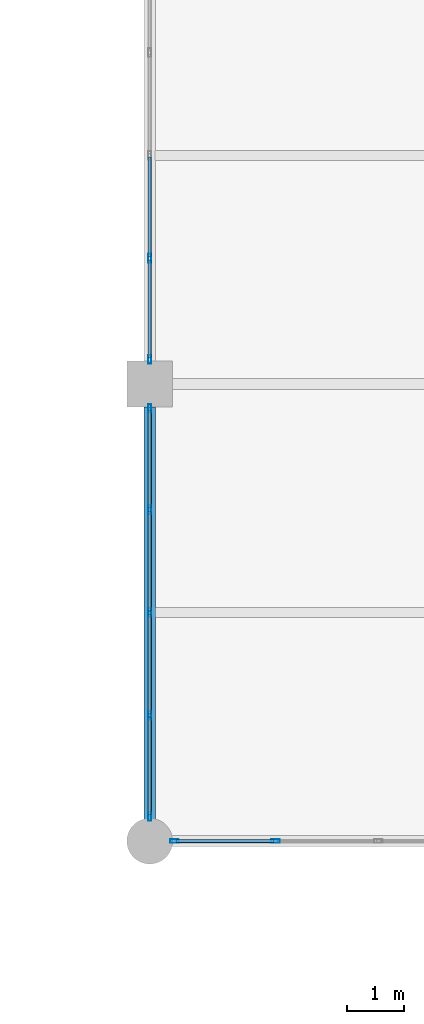
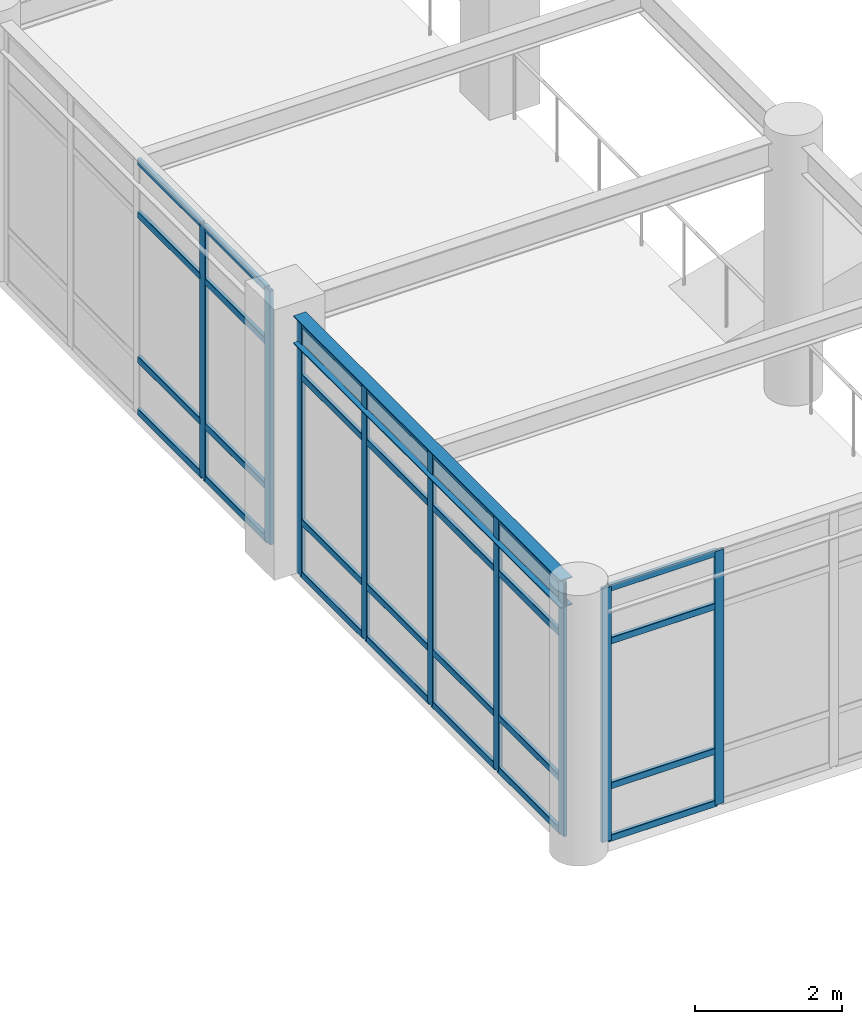
# One storey, part 18 of 78: 37 members, 1 beam, 3 elements without a shape of their own.
"""IFC4 building model written with IfcOpenShell, lengths in metres."""

from ifc_helpers import new_model, si_unit, direction, frame, origin, origin_2d, place, context, subcontext, project, spatial, hollow_rectangle, i_section, extrude, material, material_profile, profile_set, type_object, element, aggregate, save


model = new_model("IFC4")

# Units and contexts
model_context = context("Model", 3, precision=1e-05, world=origin(), true_north=direction((0.0, 1.0)))
body_context = subcontext(model_context, "Body", "Model", "MODEL_VIEW")
ifc_project = project(units=[si_unit("LENGTHUNIT", "METRE"), si_unit("AREAUNIT", "SQUARE_METRE"), si_unit("VOLUMEUNIT", "CUBIC_METRE"), si_unit("PLANEANGLEUNIT", "RADIAN"), si_unit("MASSUNIT", "GRAM", prefix="KILO")], contexts=[model_context])

# Site, building, storey
site_placement = place(None, origin())
site = spatial("IfcSite", under=ifc_project, at=site_placement, CompositionType="ELEMENT")
building_placement = place(site_placement, origin())
building = spatial("IfcBuilding", under=site, at=building_placement, Name="Solmirada Galleria", CompositionType="ELEMENT")
storey_placement = place(building_placement, frame((0.0, 0.0, 23.89990234375)))
storey = spatial("IfcBuildingStorey", under=building, at=storey_placement, Name="L05", CompositionType="ELEMENT", Elevation=23.89990234375)

# Beam
ifc_material_1 = material(Name="Steel S355 / ASTM A992 Grade 50", Category="steel")
ifc_material_profile_1 = material_profile(ifc_material_1, i_section(OverallWidth=0.193115234375, OverallDepth=0.466064453125, WebThickness=0.011474609375, FlangeThickness=0.01904296875, FilletRadius=0.013916015625, at=origin_2d()), Name="W18X65")
ifc_profile_set_1 = profile_set([ifc_material_profile_1], Name="Steel S355 / ASTM A992 Grade 50")
beam_type = type_object("IfcBeamType", Name="BM-GIRD-W18C", PredefinedType="BEAM", material=ifc_profile_set_1)
beam_placement = place(storey_placement, frame((80.0, 48.3359375, 4.067138671875), z_axis=(0.0, 1.0, 0.0), x_axis=(-1.0, 0.0, 0.0)))
element("IfcBeam", 1, at=beam_placement, inside=storey, type_object=beam_type, Name="Primary girder L06 Y(80, 48..56)", PredefinedType="BEAM", context=body_context, shape_type="SweptSolid", body=[
    extrude(i_section(OverallWidth=0.193115234375, OverallDepth=0.466064453125, WebThickness=0.011474609375, FlangeThickness=0.01904296875, FilletRadius=0.013916015625, at=origin_2d()), origin(), (0.0, 0.0, 1.0), 7.26416015625),
])

# Curtain wall, members
ifc_material_2 = material(Name="Impact-resistant low-E double glazing", Category="glass")
curtain_wall_type = type_object("IfcCurtainWallType", Name="CW-FZ3-L05-B4-L072", PredefinedType="NOTDEFINED", material=ifc_material_2)
curtain_wall_1_placement = place(storey_placement, origin())
curtain_wall_1 = element("IfcCurtainWall", 2, at=curtain_wall_1_placement, inside=storey, type_object=curtain_wall_type, Name="Terrace and arcade storefront CW-L05-163", PredefinedType="NOTDEFINED")
ifc_material_3 = material(Name="Anodised aluminium framing", Category="aluminium")
ifc_material_profile_2 = material_profile(ifc_material_3, hollow_rectangle(XDim=0.06005859375, YDim=0.14990234375, WallThickness=0.00341796875, InnerFilletRadius=0.00341796875, OuterFilletRadius=0.007080078125, at=origin_2d()), Name="ALU-MULL-150X60")
ifc_profile_set_2 = profile_set([ifc_material_profile_2], Name="Anodised aluminium framing")
member_type_1 = type_object("IfcMemberType", Name="CW-MULL-150", PredefinedType="MULLION", material=ifc_profile_set_2)
member_1_placement = place(storey_placement, frame((82.200927734375, 48.0, 0.0), z_axis=(0.0, 0.0, 1.0), x_axis=(0.0, -1.0, 0.0)))
member_1 = element("IfcMember", 3, at=member_1_placement, type_object=member_type_1, Name="CW33 mullion 4", PredefinedType="MULLION", context=body_context, shape_type="SweptSolid", body=[
    extrude(hollow_rectangle(XDim=0.06005859375, YDim=0.14990234375, WallThickness=0.00341796875, InnerFilletRadius=0.00341796875, OuterFilletRadius=0.007080078125, at=origin_2d()), origin(), (0.0, 0.0, 1.0), 4.22021484375),
])
member_2_placement = place(storey_placement, frame((80.431884765625, 48.0, 0.0), z_axis=(0.0, 0.0, 1.0), x_axis=(0.0, -1.0, 0.0)))
member_2 = element("IfcMember", 4, at=member_2_placement, type_object=member_type_1, Name="CW33 mullion 5", PredefinedType="MULLION", context=body_context, shape_type="SweptSolid", body=[
    extrude(hollow_rectangle(XDim=0.06005859375, YDim=0.14990234375, WallThickness=0.00341796875, InnerFilletRadius=0.00341796875, OuterFilletRadius=0.007080078125, at=origin_2d()), origin(), (0.0, 0.0, 1.0), 4.22021484375),
])

curtain_wall_2_placement = place(storey_placement, origin())
curtain_wall_2 = element("IfcCurtainWall", 5, at=curtain_wall_2_placement, inside=storey, type_object=curtain_wall_type, Name="Terrace and arcade storefront CW-L05-164", PredefinedType="NOTDEFINED")
member_3_placement = place(storey_placement, frame((80.0, 48.431884765625, 0.0), z_axis=(0.0, 0.0, 1.0), x_axis=(-1.0, 0.0, 0.0)))
member_3 = element("IfcMember", 6, at=member_3_placement, type_object=member_type_1, Name="CW33 mullion 1", PredefinedType="MULLION", context=body_context, shape_type="SweptSolid", body=[
    extrude(hollow_rectangle(XDim=0.06005859375, YDim=0.14990234375, WallThickness=0.00341796875, InnerFilletRadius=0.00341796875, OuterFilletRadius=0.007080078125, at=origin_2d()), origin(), (0.0, 0.0, 1.0), 4.22021484375),
])
member_4_placement = place(storey_placement, frame((80.0, 50.200927734375, 0.0), z_axis=(0.0, 0.0, 1.0), x_axis=(-1.0, 0.0, 0.0)))
member_4 = element("IfcMember", 7, at=member_4_placement, type_object=member_type_1, Name="CW33 mullion 2", PredefinedType="MULLION", context=body_context, shape_type="SweptSolid", body=[
    extrude(hollow_rectangle(XDim=0.06005859375, YDim=0.14990234375, WallThickness=0.00341796875, InnerFilletRadius=0.00341796875, OuterFilletRadius=0.007080078125, at=origin_2d()), origin(), (0.0, 0.0, 1.0), 4.22021484375),
])
member_5_placement = place(storey_placement, frame((80.0, 52.0, 0.0), z_axis=(0.0, 0.0, 1.0), x_axis=(-1.0, 0.0, 0.0)))
member_5 = element("IfcMember", 8, at=member_5_placement, type_object=member_type_1, Name="CW33 mullion 3", PredefinedType="MULLION", context=body_context, shape_type="SweptSolid", body=[
    extrude(hollow_rectangle(XDim=0.06005859375, YDim=0.14990234375, WallThickness=0.00341796875, InnerFilletRadius=0.00341796875, OuterFilletRadius=0.007080078125, at=origin_2d()), origin(), (0.0, 0.0, 1.0), 4.22021484375),
])
member_6_placement = place(storey_placement, frame((80.0, 53.799072265625, 0.0), z_axis=(0.0, 0.0, 1.0), x_axis=(-1.0, 0.0, 0.0)))
member_6 = element("IfcMember", 9, at=member_6_placement, type_object=member_type_1, Name="CW33 mullion 4", PredefinedType="MULLION", context=body_context, shape_type="SweptSolid", body=[
    extrude(hollow_rectangle(XDim=0.06005859375, YDim=0.14990234375, WallThickness=0.00341796875, InnerFilletRadius=0.00341796875, OuterFilletRadius=0.007080078125, at=origin_2d()), origin(), (0.0, 0.0, 1.0), 4.22021484375),
])
member_7_placement = place(storey_placement, frame((80.0, 55.568115234375, 0.0), z_axis=(0.0, 0.0, 1.0), x_axis=(-1.0, 0.0, 0.0)))
member_7 = element("IfcMember", 10, at=member_7_placement, type_object=member_type_1, Name="CW33 mullion 5", PredefinedType="MULLION", context=body_context, shape_type="SweptSolid", body=[
    extrude(hollow_rectangle(XDim=0.06005859375, YDim=0.14990234375, WallThickness=0.00341796875, InnerFilletRadius=0.00341796875, OuterFilletRadius=0.007080078125, at=origin_2d()), origin(), (0.0, 0.0, 1.0), 4.22021484375),
])

curtain_wall_3_placement = place(storey_placement, origin())
curtain_wall_3 = element("IfcCurtainWall", 11, at=curtain_wall_3_placement, inside=storey, type_object=curtain_wall_type, Name="Terrace and arcade storefront CW-L05-165", PredefinedType="NOTDEFINED")
member_8_placement = place(storey_placement, frame((80.0, 56.431884765625, 0.0), z_axis=(0.0, 0.0, 1.0), x_axis=(-1.0, 0.0, 0.0)))
member_8 = element("IfcMember", 12, at=member_8_placement, type_object=member_type_1, Name="CW33 mullion 1", PredefinedType="MULLION", context=body_context, shape_type="SweptSolid", body=[
    extrude(hollow_rectangle(XDim=0.06005859375, YDim=0.14990234375, WallThickness=0.00341796875, InnerFilletRadius=0.00341796875, OuterFilletRadius=0.007080078125, at=origin_2d()), origin(), (0.0, 0.0, 1.0), 4.22021484375),
])
member_9_placement = place(storey_placement, frame((80.0, 58.200927734375, 0.0), z_axis=(0.0, 0.0, 1.0), x_axis=(-1.0, 0.0, 0.0)))
member_9 = element("IfcMember", 13, at=member_9_placement, type_object=member_type_1, Name="CW33 mullion 2", PredefinedType="MULLION", context=body_context, shape_type="SweptSolid", body=[
    extrude(hollow_rectangle(XDim=0.06005859375, YDim=0.14990234375, WallThickness=0.00341796875, InnerFilletRadius=0.00341796875, OuterFilletRadius=0.007080078125, at=origin_2d()), origin(), (0.0, 0.0, 1.0), 4.22021484375),
])

# Member
ifc_material_profile_3 = material_profile(ifc_material_3, hollow_rectangle(XDim=0.06005859375, YDim=0.110107421875, WallThickness=0.003173828125, InnerFilletRadius=0.003173828125, OuterFilletRadius=0.00634765625, at=origin_2d()), Name="ALU-TRAN-110X60")
ifc_profile_set_3 = profile_set([ifc_material_profile_3], Name="Anodised aluminium framing")
member_type_2 = type_object("IfcMemberType", Name="CW-TRAN-110", PredefinedType="USERDEFINED", material=ifc_profile_set_3)
member_10_placement = place(storey_placement, frame((82.1708984375, 48.0, 0.030029296875), z_axis=(-1.0, 0.0, 0.0), x_axis=(0.0, -1.0, 0.0)))
member_10 = element("IfcMember", 14, at=member_10_placement, type_object=member_type_2, Name="CW33 transom 4.1", ObjectType="TRANSOM", PredefinedType="USERDEFINED", context=body_context, shape_type="SweptSolid", body=[
    extrude(hollow_rectangle(XDim=0.06005859375, YDim=0.110107421875, WallThickness=0.003173828125, InnerFilletRadius=0.003173828125, OuterFilletRadius=0.00634765625, at=origin_2d()), origin(), (0.0, 0.0, 1.0), 1.708984375),
])

member_11_placement = place(storey_placement, frame((82.1708984375, 48.0, 0.900146484375), z_axis=(-1.0, 0.0, 0.0), x_axis=(0.0, -1.0, 0.0)))
member_11 = element("IfcMember", 15, at=member_11_placement, type_object=member_type_2, Name="CW33 transom 4.2", ObjectType="TRANSOM", PredefinedType="USERDEFINED", context=body_context, shape_type="SweptSolid", body=[
    extrude(hollow_rectangle(XDim=0.06005859375, YDim=0.110107421875, WallThickness=0.003173828125, InnerFilletRadius=0.003173828125, OuterFilletRadius=0.00634765625, at=origin_2d()), origin(), (0.0, 0.0, 1.0), 1.708984375),
])

member_12_placement = place(storey_placement, frame((82.1708984375, 48.0, 3.31005859375), z_axis=(-1.0, 0.0, 0.0), x_axis=(0.0, -1.0, 0.0)))
member_12 = element("IfcMember", 16, at=member_12_placement, type_object=member_type_2, Name="CW33 transom 4.3", ObjectType="TRANSOM", PredefinedType="USERDEFINED", context=body_context, shape_type="SweptSolid", body=[
    extrude(hollow_rectangle(XDim=0.06005859375, YDim=0.110107421875, WallThickness=0.003173828125, InnerFilletRadius=0.003173828125, OuterFilletRadius=0.00634765625, at=origin_2d()), origin(), (0.0, 0.0, 1.0), 1.708984375),
])

member_13_placement = place(storey_placement, frame((82.1708984375, 48.0, 4.190185546875), z_axis=(-1.0, 0.0, 0.0), x_axis=(0.0, -1.0, 0.0)))
member_13 = element("IfcMember", 17, at=member_13_placement, type_object=member_type_2, Name="CW33 transom 4.4", ObjectType="TRANSOM", PredefinedType="USERDEFINED", context=body_context, shape_type="SweptSolid", body=[
    extrude(hollow_rectangle(XDim=0.06005859375, YDim=0.110107421875, WallThickness=0.003173828125, InnerFilletRadius=0.003173828125, OuterFilletRadius=0.00634765625, at=origin_2d()), origin(), (0.0, 0.0, 1.0), 1.708984375),
])

aggregate(curtain_wall_1, [member_1, member_2, member_10, member_11, member_12, member_13])

member_14_placement = place(storey_placement, frame((80.0, 48.4619140625, 0.030029296875), z_axis=(0.0, 1.0, 0.0), x_axis=(-1.0, 0.0, 0.0)))
member_14 = element("IfcMember", 18, at=member_14_placement, type_object=member_type_2, Name="CW33 transom 1.1", ObjectType="TRANSOM", PredefinedType="USERDEFINED", context=body_context, shape_type="SweptSolid", body=[
    extrude(hollow_rectangle(XDim=0.06005859375, YDim=0.110107421875, WallThickness=0.003173828125, InnerFilletRadius=0.003173828125, OuterFilletRadius=0.00634765625, at=origin_2d()), origin(), (0.0, 0.0, 1.0), 1.708984375),
])

member_15_placement = place(storey_placement, frame((80.0, 48.4619140625, 0.900146484375), z_axis=(0.0, 1.0, 0.0), x_axis=(-1.0, 0.0, 0.0)))
member_15 = element("IfcMember", 19, at=member_15_placement, type_object=member_type_2, Name="CW33 transom 1.2", ObjectType="TRANSOM", PredefinedType="USERDEFINED", context=body_context, shape_type="SweptSolid", body=[
    extrude(hollow_rectangle(XDim=0.06005859375, YDim=0.110107421875, WallThickness=0.003173828125, InnerFilletRadius=0.003173828125, OuterFilletRadius=0.00634765625, at=origin_2d()), origin(), (0.0, 0.0, 1.0), 1.708984375),
])

member_16_placement = place(storey_placement, frame((80.0, 48.4619140625, 3.31005859375), z_axis=(0.0, 1.0, 0.0), x_axis=(-1.0, 0.0, 0.0)))
member_16 = element("IfcMember", 20, at=member_16_placement, type_object=member_type_2, Name="CW33 transom 1.3", ObjectType="TRANSOM", PredefinedType="USERDEFINED", context=body_context, shape_type="SweptSolid", body=[
    extrude(hollow_rectangle(XDim=0.06005859375, YDim=0.110107421875, WallThickness=0.003173828125, InnerFilletRadius=0.003173828125, OuterFilletRadius=0.00634765625, at=origin_2d()), origin(), (0.0, 0.0, 1.0), 1.708984375),
])

member_17_placement = place(storey_placement, frame((80.0, 48.4619140625, 4.190185546875), z_axis=(0.0, 1.0, 0.0), x_axis=(-1.0, 0.0, 0.0)))
member_17 = element("IfcMember", 21, at=member_17_placement, type_object=member_type_2, Name="CW33 transom 1.4", ObjectType="TRANSOM", PredefinedType="USERDEFINED", context=body_context, shape_type="SweptSolid", body=[
    extrude(hollow_rectangle(XDim=0.06005859375, YDim=0.110107421875, WallThickness=0.003173828125, InnerFilletRadius=0.003173828125, OuterFilletRadius=0.00634765625, at=origin_2d()), origin(), (0.0, 0.0, 1.0), 1.708984375),
])

member_18_placement = place(storey_placement, frame((80.0, 50.23095703125, 0.030029296875), z_axis=(0.0, 1.0, 0.0), x_axis=(-1.0, 0.0, 0.0)))
member_18 = element("IfcMember", 22, at=member_18_placement, type_object=member_type_2, Name="CW33 transom 2.1", ObjectType="TRANSOM", PredefinedType="USERDEFINED", context=body_context, shape_type="SweptSolid", body=[
    extrude(hollow_rectangle(XDim=0.06005859375, YDim=0.110107421875, WallThickness=0.003173828125, InnerFilletRadius=0.003173828125, OuterFilletRadius=0.00634765625, at=origin_2d()), origin(), (0.0, 0.0, 1.0), 1.739013671875),
])

member_19_placement = place(storey_placement, frame((80.0, 50.23095703125, 0.900146484375), z_axis=(0.0, 1.0, 0.0), x_axis=(-1.0, 0.0, 0.0)))
member_19 = element("IfcMember", 23, at=member_19_placement, type_object=member_type_2, Name="CW33 transom 2.2", ObjectType="TRANSOM", PredefinedType="USERDEFINED", context=body_context, shape_type="SweptSolid", body=[
    extrude(hollow_rectangle(XDim=0.06005859375, YDim=0.110107421875, WallThickness=0.003173828125, InnerFilletRadius=0.003173828125, OuterFilletRadius=0.00634765625, at=origin_2d()), origin(), (0.0, 0.0, 1.0), 1.739013671875),
])

member_20_placement = place(storey_placement, frame((80.0, 50.23095703125, 3.31005859375), z_axis=(0.0, 1.0, 0.0), x_axis=(-1.0, 0.0, 0.0)))
member_20 = element("IfcMember", 24, at=member_20_placement, type_object=member_type_2, Name="CW33 transom 2.3", ObjectType="TRANSOM", PredefinedType="USERDEFINED", context=body_context, shape_type="SweptSolid", body=[
    extrude(hollow_rectangle(XDim=0.06005859375, YDim=0.110107421875, WallThickness=0.003173828125, InnerFilletRadius=0.003173828125, OuterFilletRadius=0.00634765625, at=origin_2d()), origin(), (0.0, 0.0, 1.0), 1.739013671875),
])

member_21_placement = place(storey_placement, frame((80.0, 50.23095703125, 4.190185546875), z_axis=(0.0, 1.0, 0.0), x_axis=(-1.0, 0.0, 0.0)))
member_21 = element("IfcMember", 25, at=member_21_placement, type_object=member_type_2, Name="CW33 transom 2.4", ObjectType="TRANSOM", PredefinedType="USERDEFINED", context=body_context, shape_type="SweptSolid", body=[
    extrude(hollow_rectangle(XDim=0.06005859375, YDim=0.110107421875, WallThickness=0.003173828125, InnerFilletRadius=0.003173828125, OuterFilletRadius=0.00634765625, at=origin_2d()), origin(), (0.0, 0.0, 1.0), 1.739013671875),
])

member_22_placement = place(storey_placement, frame((80.0, 52.030029296875, 0.030029296875), z_axis=(0.0, 1.0, 0.0), x_axis=(-1.0, 0.0, 0.0)))
member_22 = element("IfcMember", 26, at=member_22_placement, type_object=member_type_2, Name="CW33 transom 3.1", ObjectType="TRANSOM", PredefinedType="USERDEFINED", context=body_context, shape_type="SweptSolid", body=[
    extrude(hollow_rectangle(XDim=0.06005859375, YDim=0.110107421875, WallThickness=0.003173828125, InnerFilletRadius=0.003173828125, OuterFilletRadius=0.00634765625, at=origin_2d()), origin(), (0.0, 0.0, 1.0), 1.739013671875),
])

member_23_placement = place(storey_placement, frame((80.0, 52.030029296875, 0.900146484375), z_axis=(0.0, 1.0, 0.0), x_axis=(-1.0, 0.0, 0.0)))
member_23 = element("IfcMember", 27, at=member_23_placement, type_object=member_type_2, Name="CW33 transom 3.2", ObjectType="TRANSOM", PredefinedType="USERDEFINED", context=body_context, shape_type="SweptSolid", body=[
    extrude(hollow_rectangle(XDim=0.06005859375, YDim=0.110107421875, WallThickness=0.003173828125, InnerFilletRadius=0.003173828125, OuterFilletRadius=0.00634765625, at=origin_2d()), origin(), (0.0, 0.0, 1.0), 1.739013671875),
])

member_24_placement = place(storey_placement, frame((80.0, 52.030029296875, 3.31005859375), z_axis=(0.0, 1.0, 0.0), x_axis=(-1.0, 0.0, 0.0)))
member_24 = element("IfcMember", 28, at=member_24_placement, type_object=member_type_2, Name="CW33 transom 3.3", ObjectType="TRANSOM", PredefinedType="USERDEFINED", context=body_context, shape_type="SweptSolid", body=[
    extrude(hollow_rectangle(XDim=0.06005859375, YDim=0.110107421875, WallThickness=0.003173828125, InnerFilletRadius=0.003173828125, OuterFilletRadius=0.00634765625, at=origin_2d()), origin(), (0.0, 0.0, 1.0), 1.739013671875),
])

member_25_placement = place(storey_placement, frame((80.0, 52.030029296875, 4.190185546875), z_axis=(0.0, 1.0, 0.0), x_axis=(-1.0, 0.0, 0.0)))
member_25 = element("IfcMember", 29, at=member_25_placement, type_object=member_type_2, Name="CW33 transom 3.4", ObjectType="TRANSOM", PredefinedType="USERDEFINED", context=body_context, shape_type="SweptSolid", body=[
    extrude(hollow_rectangle(XDim=0.06005859375, YDim=0.110107421875, WallThickness=0.003173828125, InnerFilletRadius=0.003173828125, OuterFilletRadius=0.00634765625, at=origin_2d()), origin(), (0.0, 0.0, 1.0), 1.739013671875),
])

member_26_placement = place(storey_placement, frame((80.0, 53.8291015625, 0.030029296875), z_axis=(0.0, 1.0, 0.0), x_axis=(-1.0, 0.0, 0.0)))
member_26 = element("IfcMember", 30, at=member_26_placement, type_object=member_type_2, Name="CW33 transom 4.1", ObjectType="TRANSOM", PredefinedType="USERDEFINED", context=body_context, shape_type="SweptSolid", body=[
    extrude(hollow_rectangle(XDim=0.06005859375, YDim=0.110107421875, WallThickness=0.003173828125, InnerFilletRadius=0.003173828125, OuterFilletRadius=0.00634765625, at=origin_2d()), origin(), (0.0, 0.0, 1.0), 1.708984375),
])

member_27_placement = place(storey_placement, frame((80.0, 53.8291015625, 0.900146484375), z_axis=(0.0, 1.0, 0.0), x_axis=(-1.0, 0.0, 0.0)))
member_27 = element("IfcMember", 31, at=member_27_placement, type_object=member_type_2, Name="CW33 transom 4.2", ObjectType="TRANSOM", PredefinedType="USERDEFINED", context=body_context, shape_type="SweptSolid", body=[
    extrude(hollow_rectangle(XDim=0.06005859375, YDim=0.110107421875, WallThickness=0.003173828125, InnerFilletRadius=0.003173828125, OuterFilletRadius=0.00634765625, at=origin_2d()), origin(), (0.0, 0.0, 1.0), 1.708984375),
])

member_28_placement = place(storey_placement, frame((80.0, 53.8291015625, 3.31005859375), z_axis=(0.0, 1.0, 0.0), x_axis=(-1.0, 0.0, 0.0)))
member_28 = element("IfcMember", 32, at=member_28_placement, type_object=member_type_2, Name="CW33 transom 4.3", ObjectType="TRANSOM", PredefinedType="USERDEFINED", context=body_context, shape_type="SweptSolid", body=[
    extrude(hollow_rectangle(XDim=0.06005859375, YDim=0.110107421875, WallThickness=0.003173828125, InnerFilletRadius=0.003173828125, OuterFilletRadius=0.00634765625, at=origin_2d()), origin(), (0.0, 0.0, 1.0), 1.708984375),
])

member_29_placement = place(storey_placement, frame((80.0, 53.8291015625, 4.190185546875), z_axis=(0.0, 1.0, 0.0), x_axis=(-1.0, 0.0, 0.0)))
member_29 = element("IfcMember", 33, at=member_29_placement, type_object=member_type_2, Name="CW33 transom 4.4", ObjectType="TRANSOM", PredefinedType="USERDEFINED", context=body_context, shape_type="SweptSolid", body=[
    extrude(hollow_rectangle(XDim=0.06005859375, YDim=0.110107421875, WallThickness=0.003173828125, InnerFilletRadius=0.003173828125, OuterFilletRadius=0.00634765625, at=origin_2d()), origin(), (0.0, 0.0, 1.0), 1.708984375),
])

aggregate(curtain_wall_2, [member_3, member_4, member_5, member_6, member_7, member_14, member_15, member_16, member_17, member_18, member_19, member_20, member_21, member_22, member_23, member_24, member_25, member_26, member_27, member_28, member_29])

member_30_placement = place(storey_placement, frame((80.0, 56.4619140625, 0.030029296875), z_axis=(0.0, 1.0, 0.0), x_axis=(-1.0, 0.0, 0.0)))
member_30 = element("IfcMember", 34, at=member_30_placement, type_object=member_type_2, Name="CW33 transom 1.1", ObjectType="TRANSOM", PredefinedType="USERDEFINED", context=body_context, shape_type="SweptSolid", body=[
    extrude(hollow_rectangle(XDim=0.06005859375, YDim=0.110107421875, WallThickness=0.003173828125, InnerFilletRadius=0.003173828125, OuterFilletRadius=0.00634765625, at=origin_2d()), origin(), (0.0, 0.0, 1.0), 1.708984375),
])

member_31_placement = place(storey_placement, frame((80.0, 56.4619140625, 0.900146484375), z_axis=(0.0, 1.0, 0.0), x_axis=(-1.0, 0.0, 0.0)))
member_31 = element("IfcMember", 35, at=member_31_placement, type_object=member_type_2, Name="CW33 transom 1.2", ObjectType="TRANSOM", PredefinedType="USERDEFINED", context=body_context, shape_type="SweptSolid", body=[
    extrude(hollow_rectangle(XDim=0.06005859375, YDim=0.110107421875, WallThickness=0.003173828125, InnerFilletRadius=0.003173828125, OuterFilletRadius=0.00634765625, at=origin_2d()), origin(), (0.0, 0.0, 1.0), 1.708984375),
])

member_32_placement = place(storey_placement, frame((80.0, 56.4619140625, 3.31005859375), z_axis=(0.0, 1.0, 0.0), x_axis=(-1.0, 0.0, 0.0)))
member_32 = element("IfcMember", 36, at=member_32_placement, type_object=member_type_2, Name="CW33 transom 1.3", ObjectType="TRANSOM", PredefinedType="USERDEFINED", context=body_context, shape_type="SweptSolid", body=[
    extrude(hollow_rectangle(XDim=0.06005859375, YDim=0.110107421875, WallThickness=0.003173828125, InnerFilletRadius=0.003173828125, OuterFilletRadius=0.00634765625, at=origin_2d()), origin(), (0.0, 0.0, 1.0), 1.708984375),
])

member_33_placement = place(storey_placement, frame((80.0, 56.4619140625, 4.190185546875), z_axis=(0.0, 1.0, 0.0), x_axis=(-1.0, 0.0, 0.0)))
member_33 = element("IfcMember", 37, at=member_33_placement, type_object=member_type_2, Name="CW33 transom 1.4", ObjectType="TRANSOM", PredefinedType="USERDEFINED", context=body_context, shape_type="SweptSolid", body=[
    extrude(hollow_rectangle(XDim=0.06005859375, YDim=0.110107421875, WallThickness=0.003173828125, InnerFilletRadius=0.003173828125, OuterFilletRadius=0.00634765625, at=origin_2d()), origin(), (0.0, 0.0, 1.0), 1.708984375),
])

member_34_placement = place(storey_placement, frame((80.0, 58.23095703125, 0.030029296875), z_axis=(0.0, 1.0, 0.0), x_axis=(-1.0, 0.0, 0.0)))
member_34 = element("IfcMember", 38, at=member_34_placement, type_object=member_type_2, Name="CW33 transom 2.1", ObjectType="TRANSOM", PredefinedType="USERDEFINED", context=body_context, shape_type="SweptSolid", body=[
    extrude(hollow_rectangle(XDim=0.06005859375, YDim=0.110107421875, WallThickness=0.003173828125, InnerFilletRadius=0.003173828125, OuterFilletRadius=0.00634765625, at=origin_2d()), origin(), (0.0, 0.0, 1.0), 1.739013671875),
])

member_35_placement = place(storey_placement, frame((80.0, 58.23095703125, 0.900146484375), z_axis=(0.0, 1.0, 0.0), x_axis=(-1.0, 0.0, 0.0)))
member_35 = element("IfcMember", 39, at=member_35_placement, type_object=member_type_2, Name="CW33 transom 2.2", ObjectType="TRANSOM", PredefinedType="USERDEFINED", context=body_context, shape_type="SweptSolid", body=[
    extrude(hollow_rectangle(XDim=0.06005859375, YDim=0.110107421875, WallThickness=0.003173828125, InnerFilletRadius=0.003173828125, OuterFilletRadius=0.00634765625, at=origin_2d()), origin(), (0.0, 0.0, 1.0), 1.739013671875),
])

member_36_placement = place(storey_placement, frame((80.0, 58.23095703125, 3.31005859375), z_axis=(0.0, 1.0, 0.0), x_axis=(-1.0, 0.0, 0.0)))
member_36 = element("IfcMember", 40, at=member_36_placement, type_object=member_type_2, Name="CW33 transom 2.3", ObjectType="TRANSOM", PredefinedType="USERDEFINED", context=body_context, shape_type="SweptSolid", body=[
    extrude(hollow_rectangle(XDim=0.06005859375, YDim=0.110107421875, WallThickness=0.003173828125, InnerFilletRadius=0.003173828125, OuterFilletRadius=0.00634765625, at=origin_2d()), origin(), (0.0, 0.0, 1.0), 1.739013671875),
])

member_37_placement = place(storey_placement, frame((80.0, 58.23095703125, 4.190185546875), z_axis=(0.0, 1.0, 0.0), x_axis=(-1.0, 0.0, 0.0)))
member_37 = element("IfcMember", 41, at=member_37_placement, type_object=member_type_2, Name="CW33 transom 2.4", ObjectType="TRANSOM", PredefinedType="USERDEFINED", context=body_context, shape_type="SweptSolid", body=[
    extrude(hollow_rectangle(XDim=0.06005859375, YDim=0.110107421875, WallThickness=0.003173828125, InnerFilletRadius=0.003173828125, OuterFilletRadius=0.00634765625, at=origin_2d()), origin(), (0.0, 0.0, 1.0), 1.739013671875),
])

aggregate(curtain_wall_3, [member_8, member_9, member_30, member_31, member_32, member_33, member_34, member_35, member_36, member_37])

save(model, "model.ifc")
